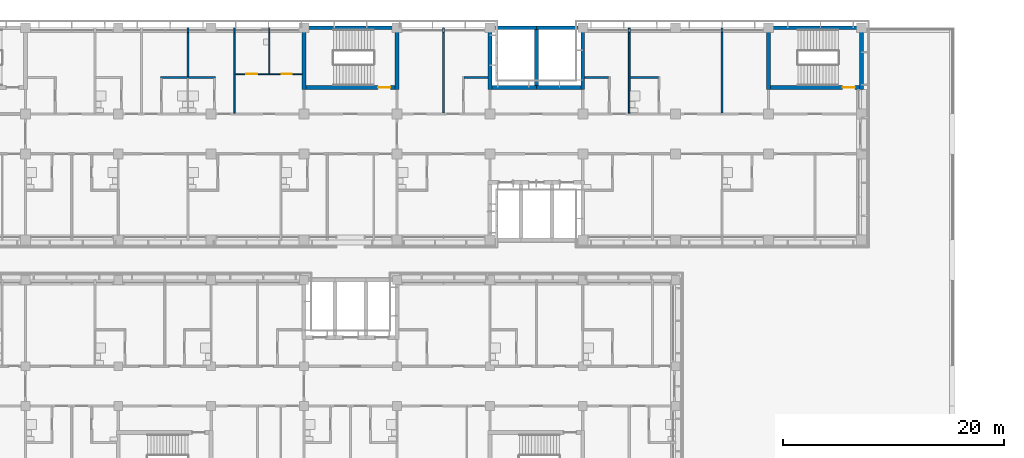
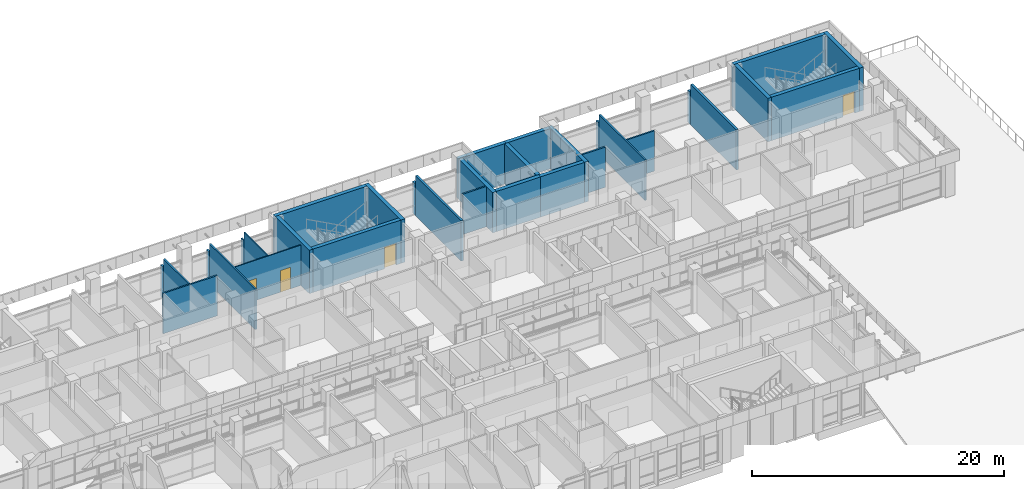
# One storey, part 88 of 137: 32 walls, 4 doors, 4 openings.
"""IFC4 building model written with IfcOpenShell, lengths in metres."""

from ifc_helpers import new_model, si_unit, direction, frame, frame_2d, origin, place, context, subcontext, project, spatial, rectangle, extrude, material, layer, layer_set, type_object, element, fill, save


model = new_model("IFC4")

# Units and contexts
model_context = context("Model", 3, precision=1e-05, world=origin(), true_north=direction((0.0, 1.0)))
body_context = subcontext(model_context, "Body", "Model", "MODEL_VIEW")
ifc_project = project(units=[si_unit("LENGTHUNIT", "METRE"), si_unit("AREAUNIT", "SQUARE_METRE"), si_unit("VOLUMEUNIT", "CUBIC_METRE"), si_unit("PLANEANGLEUNIT", "RADIAN"), si_unit("MASSUNIT", "GRAM", prefix="KILO")], contexts=[model_context])

# Site, building, storey
site_placement = place(None, origin())
site = spatial("IfcSite", under=ifc_project, at=site_placement, CompositionType="ELEMENT")
building_placement = place(site_placement, origin())
building = spatial("IfcBuilding", under=site, at=building_placement, Name="Bougainvillea Quay General Hospital", CompositionType="ELEMENT")
storey_placement = place(building_placement, frame((0.0, 0.0, 16.800048828125)))
storey = spatial("IfcBuildingStorey", under=building, at=storey_placement, Name="L03", CompositionType="ELEMENT", Elevation=16.800048828125)

# Wall, openings, doors
ifc_material_1 = material(Name="Gypsum board partition on steel studs", Category="steel")
ifc_layer_1 = layer(ifc_material_1, 0.10009765625)
ifc_layer_set_1 = layer_set([ifc_layer_1], Name="Gypsum board partition on steel studs")
wall_type_1 = type_object("IfcWallType", Name="Partition 100 Gypsum board partition", PredefinedType="PARTITIONING", material=ifc_layer_set_1)
wall_1_placement = place(storey_placement, frame((128.175048828125, 155.39990234375, 0.0), z_axis=(0.0, 0.0, 1.0), x_axis=(1.0, 0.0, 0.0)))
wall_1 = element("IfcWall", 1, at=wall_1_placement, inside=storey, type_object=wall_type_1, Name="Partition 100 mm", PredefinedType="PARTITIONING", context=body_context, shape_type="SweptSolid", body=[
    extrude(rectangle(XDim=6.050048828125, YDim=0.10009765625, at=frame_2d((3.02490234375, 0.0))), origin(), (0.0, 0.0, 1.0), 3.89990234375),
])
opening_1_placement = place(wall_1_placement, frame((1.0, 0.0, 0.0)))
opening_1 = element("IfcOpeningElement", 2, at=opening_1_placement, cuts=wall_1, Name="Opening L03.050", PredefinedType="OPENING", context=body_context, shape_type="SweptSolid", body=[
    extrude(rectangle(XDim=1.0, YDim=2.10009765625, at=frame_2d((0.5, 1.050048828125))), frame((0.0, 0.06005859375, 0.0), z_axis=(0.0, -1.0, 0.0), x_axis=(1.0, 0.0, 0.0)), (0.0, 0.0, 1.0), 0.1201171875),
])
opening_2_placement = place(wall_1_placement, frame((4.199951171875, 0.0, 0.0)))
opening_2 = element("IfcOpeningElement", 3, at=opening_2_placement, cuts=wall_1, Name="Opening L03.051", PredefinedType="OPENING", context=body_context, shape_type="SweptSolid", body=[
    extrude(rectangle(XDim=0.89990234375, YDim=2.10009765625, at=frame_2d((0.449951171875, 1.050048828125))), frame((0.0, 0.06005859375, 0.0), z_axis=(0.0, -1.0, 0.0), x_axis=(1.0, 0.0, 0.0)), (0.0, 0.0, 1.0), 0.1201171875),
])
ifc_material_2 = material(Name="Solid-core timber door leaf in steel frame", Category="steel")
door_type_1 = type_object("IfcDoorType", Name="Single leaf door 1000x2100", OperationType="NOTDEFINED", PredefinedType="DOOR", material=ifc_material_2)
door_1_placement = place(opening_1_placement, origin())
door_1 = element("IfcDoor", 4, at=door_1_placement, inside=storey, type_object=door_type_1, Name="DT06 L03.050", OperationType="SINGLE_SWING_LEFT", OverallHeight=2.10009765625, OverallWidth=1.0, PredefinedType="DOOR", context=body_context, shape_type="SweptSolid", body=[
    extrude(rectangle(XDim=1.0, YDim=2.10009765625, at=frame_2d((0.5, 1.050048828125))), frame((0.0, 0.02490234375, 0.0), z_axis=(0.0, -1.0, 0.0), x_axis=(1.0, 0.0, 0.0)), (0.0, 0.0, 1.0), 0.050048828125),
])
fill(opening_1, door_1)
door_type_2 = type_object("IfcDoorType", Name="Single leaf door 900x2100", OperationType="NOTDEFINED", PredefinedType="DOOR", material=ifc_material_2)
door_2_placement = place(opening_2_placement, origin())
door_2 = element("IfcDoor", 5, at=door_2_placement, inside=storey, type_object=door_type_2, Name="DT07 L03.051", OperationType="SINGLE_SWING_RIGHT", OverallHeight=2.10009765625, OverallWidth=0.89990234375, PredefinedType="DOOR", context=body_context, shape_type="SweptSolid", body=[
    extrude(rectangle(XDim=0.89990234375, YDim=2.10009765625, at=frame_2d((0.449951171875, 1.050048828125))), frame((0.0, 0.02490234375, 0.0), z_axis=(0.0, -1.0, 0.0), x_axis=(1.0, 0.0, 0.0)), (0.0, 0.0, 1.0), 0.050048828125),
])
fill(opening_2, door_2)

# Walls
wall_2_placement = place(storey_placement, frame((131.25, 155.449951171875, 0.0), z_axis=(0.0, 0.0, 1.0), x_axis=(0.0, 1.0, 0.0)))
element("IfcWall", 6, at=wall_2_placement, inside=storey, type_object=wall_type_1, Name="Partition 100 mm", PredefinedType="PARTITIONING", context=body_context, shape_type="SweptSolid", body=[
    extrude(rectangle(XDim=3.699951171875, YDim=0.10009765625, at=frame_2d((1.85009765625, 0.0))), origin(), (0.0, 0.0, 1.0), 3.89990234375),
])
wall_3_placement = place(storey_placement, frame((131.25, 159.14990234375, 0.0), z_axis=(0.0, 0.0, 1.0), x_axis=(0.0, 1.0, 0.0)))
element("IfcWall", 7, at=wall_3_placement, inside=storey, type_object=wall_type_1, Name="Partition 100 mm", PredefinedType="PARTITIONING", context=body_context, shape_type="SweptSolid", body=[
    extrude(rectangle(XDim=0.4501953125, YDim=0.10009765625, at=frame_2d((0.22509765625, 0.0))), origin(), (0.0, 0.0, 1.0), 3.079833984375),
])
ifc_material_3 = material(Name="Gypsum board partition on steel studs, insulated", Category="steel")
ifc_layer_2 = layer(ifc_material_3, 0.14990234375)
ifc_layer_set_2 = layer_set([ifc_layer_2], Name="Gypsum board partition on steel studs, insulated")
wall_type_2 = type_object("IfcWallType", Name="Partition 150 Gypsum board partition", PredefinedType="PARTITIONING", material=ifc_layer_set_2)
wall_4_placement = place(storey_placement, frame((128.10009765625, 151.875, 0.0), z_axis=(0.0, 0.0, 1.0), x_axis=(0.0, 1.0, 0.0)))
element("IfcWall", 8, at=wall_4_placement, inside=storey, type_object=wall_type_2, Name="Partition 150 mm", PredefinedType="PARTITIONING", context=body_context, shape_type="SweptSolid", body=[
    extrude(rectangle(XDim=7.27490234375, YDim=0.14990234375, at=frame_2d((3.637451171875, 0.0))), origin(), (0.0, 0.0, 1.0), 3.89990234375),
])
wall_5_placement = place(storey_placement, frame((128.10009765625, 159.14990234375, 0.0), z_axis=(0.0, 0.0, 1.0), x_axis=(0.0, 1.0, 0.0)))
element("IfcWall", 9, at=wall_5_placement, inside=storey, type_object=wall_type_2, Name="Partition 150 mm", PredefinedType="PARTITIONING", context=body_context, shape_type="SweptSolid", body=[
    extrude(rectangle(XDim=0.4501953125, YDim=0.14990234375, at=frame_2d((0.22509765625, 0.0))), origin(), (0.0, 0.0, 1.0), 3.079833984375),
])
wall_6_placement = place(storey_placement, frame((163.800048828125, 151.875, 0.0), z_axis=(0.0, 0.0, 1.0), x_axis=(0.0, 1.0, 0.0)))
element("IfcWall", 10, at=wall_6_placement, inside=storey, type_object=wall_type_2, Name="Partition 150 mm", PredefinedType="PARTITIONING", context=body_context, shape_type="SweptSolid", body=[
    extrude(rectangle(XDim=7.27490234375, YDim=0.14990234375, at=frame_2d((3.637451171875, 0.0))), origin(), (0.0, 0.0, 1.0), 3.89990234375),
])
wall_7_placement = place(storey_placement, frame((163.800048828125, 159.14990234375, 0.0), z_axis=(0.0, 0.0, 1.0), x_axis=(0.0, 1.0, 0.0)))
element("IfcWall", 11, at=wall_7_placement, inside=storey, type_object=wall_type_2, Name="Partition 150 mm", PredefinedType="PARTITIONING", context=body_context, shape_type="SweptSolid", body=[
    extrude(rectangle(XDim=0.4501953125, YDim=0.14990234375, at=frame_2d((0.22509765625, 0.0))), origin(), (0.0, 0.0, 1.0), 3.079833984375),
])
wall_8_placement = place(storey_placement, frame((121.425048828125, 155.10009765625, 0.0), z_axis=(0.0, 0.0, 1.0), x_axis=(1.0, 0.0, 0.0)))
element("IfcWall", 12, at=wall_8_placement, inside=storey, type_object=wall_type_2, Name="Partition 150 mm", PredefinedType="PARTITIONING", context=body_context, shape_type="SweptSolid", body=[
    extrude(rectangle(XDim=4.949951171875, YDim=0.14990234375, at=frame_2d((2.47509765625, 0.0))), origin(), (0.0, 0.0, 1.0), 3.89990234375),
])
wall_9_placement = place(storey_placement, frame((123.89990234375, 155.175048828125, 0.0), z_axis=(0.0, 0.0, 1.0), x_axis=(0.0, 1.0, 0.0)))
element("IfcWall", 13, at=wall_9_placement, inside=storey, type_object=wall_type_2, Name="Partition 150 mm", PredefinedType="PARTITIONING", context=body_context, shape_type="SweptSolid", body=[
    extrude(rectangle(XDim=3.974853515625, YDim=0.14990234375, at=frame_2d((1.9873046875, 0.0))), origin(), (0.0, 0.0, 1.0), 3.89990234375),
])
wall_10_placement = place(storey_placement, frame((123.89990234375, 159.14990234375, 0.0), z_axis=(0.0, 0.0, 1.0), x_axis=(0.0, 1.0, 0.0)))
element("IfcWall", 14, at=wall_10_placement, inside=storey, type_object=wall_type_2, Name="Partition 150 mm", PredefinedType="PARTITIONING", context=body_context, shape_type="SweptSolid", body=[
    extrude(rectangle(XDim=0.4501953125, YDim=0.14990234375, at=frame_2d((0.22509765625, 0.0))), origin(), (0.0, 0.0, 1.0), 3.079833984375),
])
wall_11_placement = place(storey_placement, frame((163.875, 155.10009765625, 0.0), z_axis=(0.0, 0.0, 1.0), x_axis=(1.0, 0.0, 0.0)))
element("IfcWall", 15, at=wall_11_placement, inside=storey, type_object=wall_type_2, Name="Partition 150 mm", PredefinedType="PARTITIONING", context=body_context, shape_type="SweptSolid", body=[
    extrude(rectangle(XDim=2.550048828125, YDim=0.14990234375, at=frame_2d((1.27490234375, 0.0))), origin(), (0.0, 0.0, 1.0), 3.89990234375),
])
wall_12_placement = place(storey_placement, frame((159.77490234375, 155.10009765625, 0.0), z_axis=(0.0, 0.0, 1.0), x_axis=(1.0, 0.0, 0.0)))
element("IfcWall", 16, at=wall_12_placement, inside=storey, type_object=wall_type_2, Name="Partition 150 mm", PredefinedType="PARTITIONING", context=body_context, shape_type="SweptSolid", body=[
    extrude(rectangle(XDim=2.150146484375, YDim=0.14990234375, at=frame_2d((1.0751953125, 0.0))), origin(), (0.0, 0.0, 1.0), 3.89990234375),
])
wall_13_placement = place(storey_placement, frame((148.875, 155.10009765625, 0.0), z_axis=(0.0, 0.0, 1.0), x_axis=(1.0, 0.0, 0.0)))
element("IfcWall", 17, at=wall_13_placement, inside=storey, type_object=wall_type_2, Name="Partition 150 mm", PredefinedType="PARTITIONING", context=body_context, shape_type="SweptSolid", body=[
    extrude(rectangle(XDim=2.14990234375, YDim=0.14990234375, at=frame_2d((1.074951171875, 0.0))), origin(), (0.0, 0.0, 1.0), 3.89990234375),
])
ifc_material_4 = material(Name="Fire-rated autoclaved aerated block wall, plastered")
ifc_layer_3 = layer(ifc_material_4, 0.199951171875)
ifc_layer_set_3 = layer_set([ifc_layer_3], Name="Fire-rated autoclaved aerated block wall, plastered")
wall_type_3 = type_object("IfcWallType", Name="Partition 200 Fire-rated autoclaved aerated block wall EI 120", PredefinedType="SOLIDWALL", material=ifc_layer_set_3)
wall_14_placement = place(storey_placement, frame((147.0, 151.89990234375, 0.0), z_axis=(0.0, 0.0, 1.0), x_axis=(0.0, 1.0, 0.0)))
element("IfcWall", 18, at=wall_14_placement, inside=storey, type_object=wall_type_3, Name="Partition 200 mm EI 120", PredefinedType="SOLIDWALL", context=body_context, shape_type="SweptSolid", body=[
    extrude(rectangle(XDim=7.25, YDim=0.199951171875, at=frame_2d((3.625, 0.0))), origin(), (0.0, 0.0, 1.0), 3.89990234375),
])
wall_15_placement = place(storey_placement, frame((147.0, 159.14990234375, 0.0), z_axis=(0.0, 0.0, 1.0), x_axis=(0.0, 1.0, 0.0)))
element("IfcWall", 19, at=wall_15_placement, inside=storey, type_object=wall_type_3, Name="Partition 200 mm EI 120", PredefinedType="SOLIDWALL", context=body_context, shape_type="SweptSolid", body=[
    extrude(rectangle(XDim=0.4501953125, YDim=0.199951171875, at=frame_2d((0.22509765625, 0.0))), origin(), (0.0, 0.0, 1.0), 3.079833984375),
])
wall_16_placement = place(storey_placement, frame((172.199951171875, 151.89990234375, 0.0), z_axis=(0.0, 0.0, 1.0), x_axis=(0.0, 1.0, 0.0)))
element("IfcWall", 20, at=wall_16_placement, inside=storey, type_object=wall_type_3, Name="Partition 200 mm EI 120", PredefinedType="SOLIDWALL", context=body_context, shape_type="SweptSolid", body=[
    extrude(rectangle(XDim=7.25, YDim=0.199951171875, at=frame_2d((3.625, 0.0))), origin(), (0.0, 0.0, 1.0), 3.89990234375),
])
wall_17_placement = place(storey_placement, frame((172.199951171875, 159.14990234375, 0.0), z_axis=(0.0, 0.0, 1.0), x_axis=(0.0, 1.0, 0.0)))
element("IfcWall", 21, at=wall_17_placement, inside=storey, type_object=wall_type_3, Name="Partition 200 mm EI 120", PredefinedType="SOLIDWALL", context=body_context, shape_type="SweptSolid", body=[
    extrude(rectangle(XDim=0.4501953125, YDim=0.199951171875, at=frame_2d((0.22509765625, 0.0))), origin(), (0.0, 0.0, 1.0), 3.079833984375),
])
ifc_material_5 = material(Name="Concrete C40", Category="concrete")
ifc_layer_4 = layer(ifc_material_5, 0.35009765625)
ifc_layer_set_4 = layer_set([ifc_layer_4], Name="Concrete C40")
wall_type_4 = type_object("IfcWallType", Name="RC SHEAR WALL 350 C40", PredefinedType="SHEAR", material=ifc_layer_set_4)
wall_18_placement = place(storey_placement, frame((134.22509765625, 159.60009765625, 0.0), z_axis=(0.0, 0.0, 1.0), x_axis=(1.0, 0.0, 0.0)))
element("IfcWall", 22, at=wall_18_placement, inside=storey, type_object=wall_type_4, Name="Shear wall L03", PredefinedType="SHEAR", context=body_context, shape_type="SweptSolid", body=[
    extrude(rectangle(XDim=8.39990234375, YDim=0.35009765625, at=frame_2d((4.199951171875, 0.0))), origin(), (0.0, 0.0, 1.0), 4.199951171875),
])
wall_19_placement = place(storey_placement, frame((134.39990234375, 154.02490234375, 0.0), z_axis=(0.0, 0.0, 1.0), x_axis=(0.0, 1.0, 0.0)))
element("IfcWall", 23, at=wall_19_placement, inside=storey, type_object=wall_type_4, Name="Shear wall L03", PredefinedType="SHEAR", context=body_context, shape_type="SweptSolid", body=[
    extrude(rectangle(XDim=5.400146484375, YDim=0.35009765625, at=frame_2d((2.7001953125, 0.0))), origin(), (0.0, 0.0, 1.0), 4.199951171875),
])

# Wall, opening, door
wall_20_placement = place(storey_placement, frame((134.574951171875, 154.199951171875, 0.0), z_axis=(0.0, 0.0, 1.0), x_axis=(1.0, 0.0, 0.0)))
wall_20 = element("IfcWall", 24, at=wall_20_placement, inside=storey, type_object=wall_type_4, Name="Shear wall L03", PredefinedType="SHEAR", context=body_context, shape_type="SweptSolid", body=[
    extrude(rectangle(XDim=8.050048828125, YDim=0.35009765625, at=frame_2d((4.02490234375, 0.0))), origin(), (0.0, 0.0, 1.0), 4.199951171875),
])
opening_3_placement = place(wall_20_placement, frame((6.52490234375, 0.0, 0.0)))
opening_3 = element("IfcOpeningElement", 25, at=opening_3_placement, cuts=wall_20, Name="Opening L03.201", PredefinedType="OPENING", context=body_context, shape_type="SweptSolid", body=[
    extrude(rectangle(XDim=1.10009765625, YDim=2.10009765625, at=frame_2d((0.550048828125, 1.050048828125))), frame((0.0, 0.18505859375, 0.0), z_axis=(0.0, -1.0, 0.0), x_axis=(1.0, 0.0, 0.0)), (0.0, 0.0, 1.0), 0.3701171875),
])
ifc_material_6 = material(Name="Steel fire door leaf in steel frame", Category="steel")
door_type_3 = type_object("IfcDoorType", Name="Steel single leaf door 1100x2100 FD60", OperationType="NOTDEFINED", PredefinedType="DOOR", material=ifc_material_6)
door_3_placement = place(opening_3_placement, origin())
door_3 = element("IfcDoor", 26, at=door_3_placement, inside=storey, type_object=door_type_3, Name="DT04 L03.201", OperationType="SINGLE_SWING_RIGHT", OverallHeight=2.10009765625, OverallWidth=1.10009765625, PredefinedType="DOOR", context=body_context, shape_type="SweptSolid", body=[
    extrude(rectangle(XDim=1.10009765625, YDim=2.10009765625, at=frame_2d((0.550048828125, 1.050048828125))), frame((0.0, 0.02490234375, 0.0), z_axis=(0.0, -1.0, 0.0), x_axis=(1.0, 0.0, 0.0)), (0.0, 0.0, 1.0), 0.050048828125),
])
fill(opening_3, door_3)

# Walls
wall_21_placement = place(storey_placement, frame((142.800048828125, 154.02490234375, 0.0), z_axis=(0.0, 0.0, 1.0), x_axis=(0.0, 1.0, 0.0)))
element("IfcWall", 27, at=wall_21_placement, inside=storey, type_object=wall_type_4, Name="Shear wall L03", PredefinedType="SHEAR", context=body_context, shape_type="SweptSolid", body=[
    extrude(rectangle(XDim=5.75, YDim=0.35009765625, at=frame_2d((2.875, 0.0))), origin(), (0.0, 0.0, 1.0), 4.199951171875),
])
wall_22_placement = place(storey_placement, frame((176.22509765625, 159.60009765625, 0.0), z_axis=(0.0, 0.0, 1.0), x_axis=(1.0, 0.0, 0.0)))
element("IfcWall", 28, at=wall_22_placement, inside=storey, type_object=wall_type_4, Name="Shear wall L03", PredefinedType="SHEAR", context=body_context, shape_type="SweptSolid", body=[
    extrude(rectangle(XDim=8.39990234375, YDim=0.35009765625, at=frame_2d((4.199951171875, 0.0))), origin(), (0.0, 0.0, 1.0), 4.199951171875),
])
wall_23_placement = place(storey_placement, frame((176.39990234375, 154.02490234375, 0.0), z_axis=(0.0, 0.0, 1.0), x_axis=(0.0, 1.0, 0.0)))
element("IfcWall", 29, at=wall_23_placement, inside=storey, type_object=wall_type_4, Name="Shear wall L03", PredefinedType="SHEAR", context=body_context, shape_type="SweptSolid", body=[
    extrude(rectangle(XDim=5.400146484375, YDim=0.35009765625, at=frame_2d((2.7001953125, 0.0))), origin(), (0.0, 0.0, 1.0), 4.199951171875),
])

# Wall, opening, door
wall_24_placement = place(storey_placement, frame((176.574951171875, 154.199951171875, 0.0), z_axis=(0.0, 0.0, 1.0), x_axis=(1.0, 0.0, 0.0)))
wall_24 = element("IfcWall", 30, at=wall_24_placement, inside=storey, type_object=wall_type_4, Name="Shear wall L03", PredefinedType="SHEAR", context=body_context, shape_type="SweptSolid", body=[
    extrude(rectangle(XDim=8.050048828125, YDim=0.35009765625, at=frame_2d((4.02490234375, 0.0))), origin(), (0.0, 0.0, 1.0), 4.199951171875),
])
opening_4_placement = place(wall_24_placement, frame((6.52490234375, 0.0, 0.0)))
opening_4 = element("IfcOpeningElement", 31, at=opening_4_placement, cuts=wall_24, Name="Opening L03.203", PredefinedType="OPENING", context=body_context, shape_type="SweptSolid", body=[
    extrude(rectangle(XDim=1.10009765625, YDim=2.10009765625, at=frame_2d((0.550048828125, 1.050048828125))), frame((0.0, 0.18505859375, 0.0), z_axis=(0.0, -1.0, 0.0), x_axis=(1.0, 0.0, 0.0)), (0.0, 0.0, 1.0), 0.3701171875),
])
door_4_placement = place(opening_4_placement, origin())
door_4 = element("IfcDoor", 32, at=door_4_placement, inside=storey, type_object=door_type_3, Name="DT04 L03.203", OperationType="SINGLE_SWING_RIGHT", OverallHeight=2.10009765625, OverallWidth=1.10009765625, PredefinedType="DOOR", context=body_context, shape_type="SweptSolid", body=[
    extrude(rectangle(XDim=1.10009765625, YDim=2.10009765625, at=frame_2d((0.550048828125, 1.050048828125))), frame((0.0, 0.02490234375, 0.0), z_axis=(0.0, -1.0, 0.0), x_axis=(1.0, 0.0, 0.0)), (0.0, 0.0, 1.0), 0.050048828125),
])
fill(opening_4, door_4)

# Walls
wall_25_placement = place(storey_placement, frame((184.800048828125, 154.02490234375, 0.0), z_axis=(0.0, 0.0, 1.0), x_axis=(0.0, 1.0, 0.0)))
element("IfcWall", 33, at=wall_25_placement, inside=storey, type_object=wall_type_4, Name="Shear wall L03", PredefinedType="SHEAR", context=body_context, shape_type="SweptSolid", body=[
    extrude(rectangle(XDim=5.75, YDim=0.35009765625, at=frame_2d((2.875, 0.0))), origin(), (0.0, 0.0, 1.0), 4.199951171875),
])
wall_26_placement = place(storey_placement, frame((151.02490234375, 159.60009765625, 0.0), z_axis=(0.0, 0.0, 1.0), x_axis=(1.0, 0.0, 0.0)))
element("IfcWall", 34, at=wall_26_placement, inside=storey, type_object=wall_type_4, Name="Shear wall L03", PredefinedType="SHEAR", context=body_context, shape_type="SweptSolid", body=[
    extrude(rectangle(XDim=4.375, YDim=0.35009765625, at=frame_2d((2.1875, 0.0))), origin(), (0.0, 0.0, 1.0), 3.89990234375),
])
wall_27_placement = place(storey_placement, frame((151.199951171875, 154.02490234375, 0.0), z_axis=(0.0, 0.0, 1.0), x_axis=(0.0, 1.0, 0.0)))
element("IfcWall", 35, at=wall_27_placement, inside=storey, type_object=wall_type_4, Name="Shear wall L03", PredefinedType="SHEAR", context=body_context, shape_type="SweptSolid", body=[
    extrude(rectangle(XDim=5.400146484375, YDim=0.35009765625, at=frame_2d((2.7001953125, 0.0))), origin(), (0.0, 0.0, 1.0), 3.89990234375),
])
wall_28_placement = place(storey_placement, frame((151.375, 154.199951171875, 0.0), z_axis=(0.0, 0.0, 1.0), x_axis=(1.0, 0.0, 0.0)))
element("IfcWall", 36, at=wall_28_placement, inside=storey, type_object=wall_type_4, Name="Shear wall L03", PredefinedType="SHEAR", context=body_context, shape_type="SweptSolid", body=[
    extrude(rectangle(XDim=4.02490234375, YDim=0.35009765625, at=frame_2d((2.012451171875, 0.0))), origin(), (0.0, 0.0, 1.0), 3.89990234375),
])
wall_29_placement = place(storey_placement, frame((155.39990234375, 154.199951171875, 0.0), z_axis=(0.0, 0.0, 1.0), x_axis=(1.0, 0.0, 0.0)))
element("IfcWall", 37, at=wall_29_placement, inside=storey, type_object=wall_type_4, Name="Shear wall L03", PredefinedType="SHEAR", context=body_context, shape_type="SweptSolid", body=[
    extrude(rectangle(XDim=4.025146484375, YDim=0.35009765625, at=frame_2d((2.0126953125, 0.0))), origin(), (0.0, 0.0, 1.0), 3.89990234375),
])
wall_30_placement = place(storey_placement, frame((155.39990234375, 154.375, 0.0), z_axis=(0.0, 0.0, 1.0), x_axis=(0.0, 1.0, 0.0)))
element("IfcWall", 38, at=wall_30_placement, inside=storey, type_object=wall_type_4, Name="Shear wall L03", PredefinedType="SHEAR", context=body_context, shape_type="SweptSolid", body=[
    extrude(rectangle(XDim=5.050048828125, YDim=0.35009765625, at=frame_2d((2.52490234375, 0.0))), origin(), (0.0, 0.0, 1.0), 3.89990234375),
])
wall_31_placement = place(storey_placement, frame((155.39990234375, 159.60009765625, 0.0), z_axis=(0.0, 0.0, 1.0), x_axis=(1.0, 0.0, 0.0)))
element("IfcWall", 39, at=wall_31_placement, inside=storey, type_object=wall_type_4, Name="Shear wall L03", PredefinedType="SHEAR", context=body_context, shape_type="SweptSolid", body=[
    extrude(rectangle(XDim=4.025146484375, YDim=0.35009765625, at=frame_2d((2.0126953125, 0.0))), origin(), (0.0, 0.0, 1.0), 3.89990234375),
])
wall_32_placement = place(storey_placement, frame((159.60009765625, 154.02490234375, 0.0), z_axis=(0.0, 0.0, 1.0), x_axis=(0.0, 1.0, 0.0)))
element("IfcWall", 40, at=wall_32_placement, inside=storey, type_object=wall_type_4, Name="Shear wall L03", PredefinedType="SHEAR", context=body_context, shape_type="SweptSolid", body=[
    extrude(rectangle(XDim=5.75, YDim=0.35009765625, at=frame_2d((2.875, 0.0))), origin(), (0.0, 0.0, 1.0), 3.89990234375),
])

save(model, "model.ifc")
